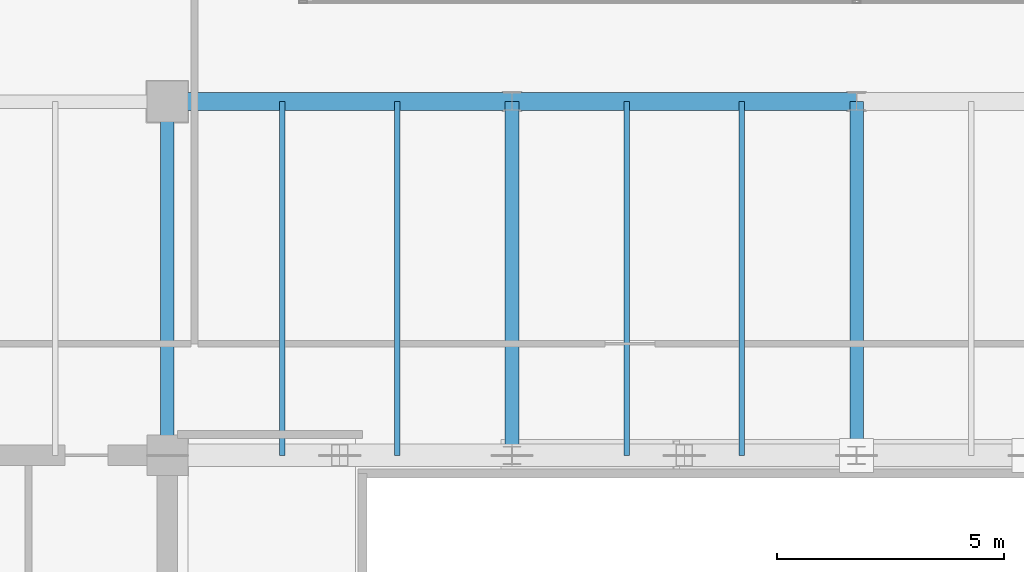
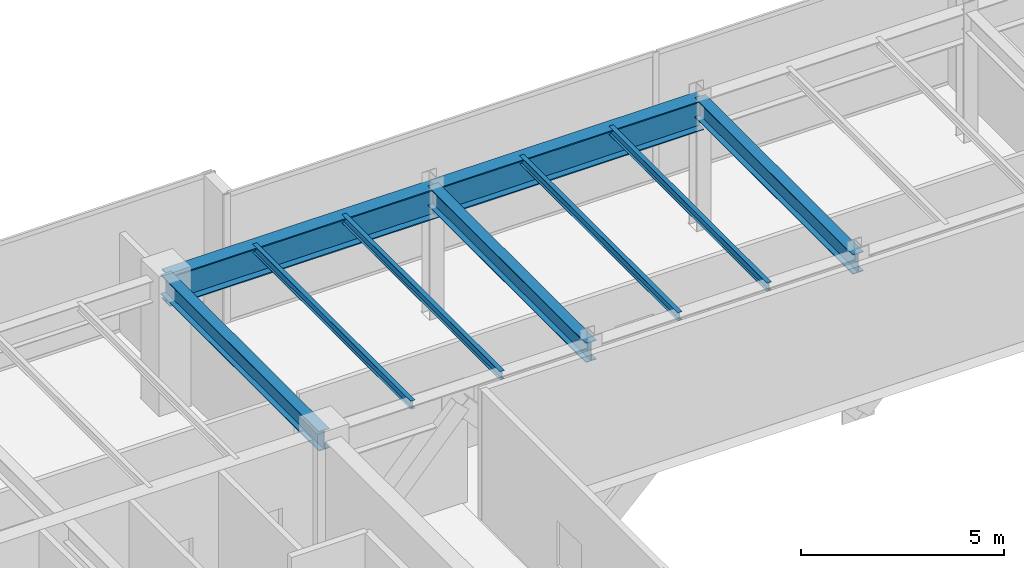
# One storey, part 20 of 32: 9 beams.
"""IFC4 building model written with IfcOpenShell, lengths in metres."""

from ifc_helpers import new_model, si_unit, direction, frame, origin, origin_2d, place, context, subcontext, project, spatial, i_section, extrude, source, transform, mapped, material, material_profile, profile_set, type_object, type_shapes, element, save


model = new_model("IFC4")

# Units and contexts
model_context = context("Model", 3, precision=1e-05, world=origin(), true_north=direction((0.0, 1.0)))
body_context = subcontext(model_context, "Body", "Model", "MODEL_VIEW")
ifc_project = project(units=[si_unit("LENGTHUNIT", "METRE"), si_unit("AREAUNIT", "SQUARE_METRE"), si_unit("VOLUMEUNIT", "CUBIC_METRE"), si_unit("PLANEANGLEUNIT", "RADIAN"), si_unit("MASSUNIT", "GRAM", prefix="KILO")], contexts=[model_context])

# Site, building, storey
site_placement = place(None, origin())
site = spatial("IfcSite", under=ifc_project, at=site_placement, CompositionType="ELEMENT")
building_placement = place(site_placement, origin())
building = spatial("IfcBuilding", under=site, at=building_placement, Name="Haelvirn Gate Laboratories", CompositionType="ELEMENT")
storey_placement = place(building_placement, frame((0.0, 0.0, 314.39990234375)))
storey = spatial("IfcBuildingStorey", under=building, at=storey_placement, Name="L75", CompositionType="ELEMENT", Elevation=314.39990234375)

# Beams
ifc_material_1 = material(Name="Steel SM420", Category="steel")
ifc_material_profile_1 = material_profile(ifc_material_1, i_section(OverallWidth=0.39990234375, OverallDepth=0.89990234375, WebThickness=0.01904296875, FlangeThickness=0.031982421875, at=origin_2d()), Name="H-900x400x19x32")
ifc_profile_set_1 = profile_set([ifc_material_profile_1], Name="Steel SM420")
beam_type_1 = type_object("IfcBeamType", Name="BM-TG-900", PredefinedType="BEAM", material=ifc_profile_set_1)
shared_shape_1 = source(origin(), body_context, "Body", "SweptSolid", [
    extrude(i_section(OverallWidth=0.39990234375, OverallDepth=0.89990234375, WebThickness=0.01904296875, FlangeThickness=0.031982421875, at=origin_2d()), origin(), (0.0, 0.0, 1.0), 7.60009765625),
])
beam_1_placement = place(storey_placement, frame((22.199951171875, 41.60009765625, 3.4501953125), z_axis=(1.0, 0.0, 0.0), x_axis=(0.0, 1.0, 0.0)))
element("IfcBeam", 1, at=beam_1_placement, inside=storey, type_object=beam_type_1, Name="L75 Primary Girder Y41.6 (22.2-29.8)", PredefinedType="BEAM", context=body_context, shape_type="MappedRepresentation", body=[
    mapped(shared_shape_1, transform((0.0, 0.0, 0.0), scale=1.0)),
])
shared_shape_2 = source(origin(), body_context, "Body", "SweptSolid", [
    extrude(i_section(OverallWidth=0.39990234375, OverallDepth=0.89990234375, WebThickness=0.01904296875, FlangeThickness=0.031982421875, at=origin_2d()), origin(), (0.0, 0.0, 1.0), 7.599853515625),
])
type_shapes(beam_type_1, [shared_shape_1, shared_shape_2])
beam_2_placement = place(storey_placement, frame((29.800048828125, 41.60009765625, 3.4501953125), z_axis=(1.0, 0.0, 0.0), x_axis=(0.0, 1.0, 0.0)))
element("IfcBeam", 2, at=beam_2_placement, inside=storey, type_object=beam_type_1, Name="L75 Primary Girder Y41.6 (29.8-37.4)", PredefinedType="BEAM", context=body_context, shape_type="MappedRepresentation", body=[
    mapped(shared_shape_2, transform((0.0, 0.0, 0.0), scale=1.0)),
])
ifc_material_2 = material(Name="Steel SM355", Category="steel")
ifc_material_profile_2 = material_profile(ifc_material_2, i_section(OverallWidth=0.300048828125, OverallDepth=0.587890625, WebThickness=0.011962890625, FlangeThickness=0.02001953125, at=origin_2d()), Name="H-588x300x12x20")
ifc_profile_set_2 = profile_set([ifc_material_profile_2], Name="Steel SM355")
beam_type_2 = type_object("IfcBeamType", Name="BM-G-588", PredefinedType="BEAM", material=ifc_profile_set_2)
shared_shape_3 = source(origin(), body_context, "Body", "SweptSolid", [
    extrude(i_section(OverallWidth=0.300048828125, OverallDepth=0.587890625, WebThickness=0.011962890625, FlangeThickness=0.02001953125, at=origin_2d()), origin(), (0.0, 0.0, 1.0), 7.800048828125),
])
type_shapes(beam_type_2, [shared_shape_3])
for number, where, z_axis, x_axis, name in (
    (3, (22.199951171875, 33.800048828125, 3.606201171875), (0.0, 1.0, 0.0), (-1.0, 0.0, 0.0), "L75 Frame Girder X22.2 (33.8-41.6)"),
    (4, (29.800048828125, 33.800048828125, 3.606201171875), (0.0, 1.0, 0.0), (-1.0, 0.0, 0.0), "L75 Frame Girder X29.8 (33.8-41.6)"),
    (5, (37.39990234375, 33.800048828125, 3.606201171875), (0.0, 1.0, 0.0), (-1.0, 0.0, 0.0), "L75 Frame Girder X37.4 (33.8-41.6)"),
):
    element("IfcBeam", number, at=place(storey_placement, frame(where, z_axis=z_axis, x_axis=x_axis)), inside=storey, type_object=beam_type_2, Name=name, PredefinedType="BEAM", context=body_context, shape_type="MappedRepresentation", body=[
        mapped(shared_shape_3, transform((0.0, 0.0, 0.0), scale=1.0)),
    ])
ifc_material_profile_3 = material_profile(ifc_material_2, i_section(OverallWidth=0.125, OverallDepth=0.25, WebThickness=0.006103515625, FlangeThickness=0.009033203125, at=origin_2d()), Name="H-250x125x6x9")
ifc_profile_set_3 = profile_set([ifc_material_profile_3], Name="Steel SM355")
beam_type_3 = type_object("IfcBeamType", Name="BM-J-250", PredefinedType="JOIST", material=ifc_profile_set_3)
shared_shape_4 = source(origin(), body_context, "Body", "SweptSolid", [
    extrude(i_section(OverallWidth=0.125, OverallDepth=0.25, WebThickness=0.006103515625, FlangeThickness=0.009033203125, at=origin_2d()), origin(), (0.0, 0.0, 1.0), 7.800048828125),
])
type_shapes(beam_type_3, [shared_shape_4])
for number, where, z_axis, x_axis, name in (
    (6, (24.72998046875, 33.800048828125, 3.775146484375), (0.0, 1.0, 0.0), (-1.0, 0.0, 0.0), "L75 Composite Lab Joist North X24.73"),
    (7, (27.27001953125, 33.800048828125, 3.775146484375), (0.0, 1.0, 0.0), (-1.0, 0.0, 0.0), "L75 Composite Lab Joist North X27.27"),
    (8, (32.330078125, 33.800048828125, 3.775146484375), (0.0, 1.0, 0.0), (-1.0, 0.0, 0.0), "L75 Composite Lab Joist North X32.33"),
    (9, (34.8701171875, 33.800048828125, 3.775146484375), (0.0, 1.0, 0.0), (-1.0, 0.0, 0.0), "L75 Composite Lab Joist North X34.87"),
):
    element("IfcBeam", number, at=place(storey_placement, frame(where, z_axis=z_axis, x_axis=x_axis)), inside=storey, type_object=beam_type_3, Name=name, PredefinedType="JOIST", context=body_context, shape_type="MappedRepresentation", body=[
        mapped(shared_shape_4, transform((0.0, 0.0, 0.0), scale=1.0)),
    ])

save(model, "model.ifc")
